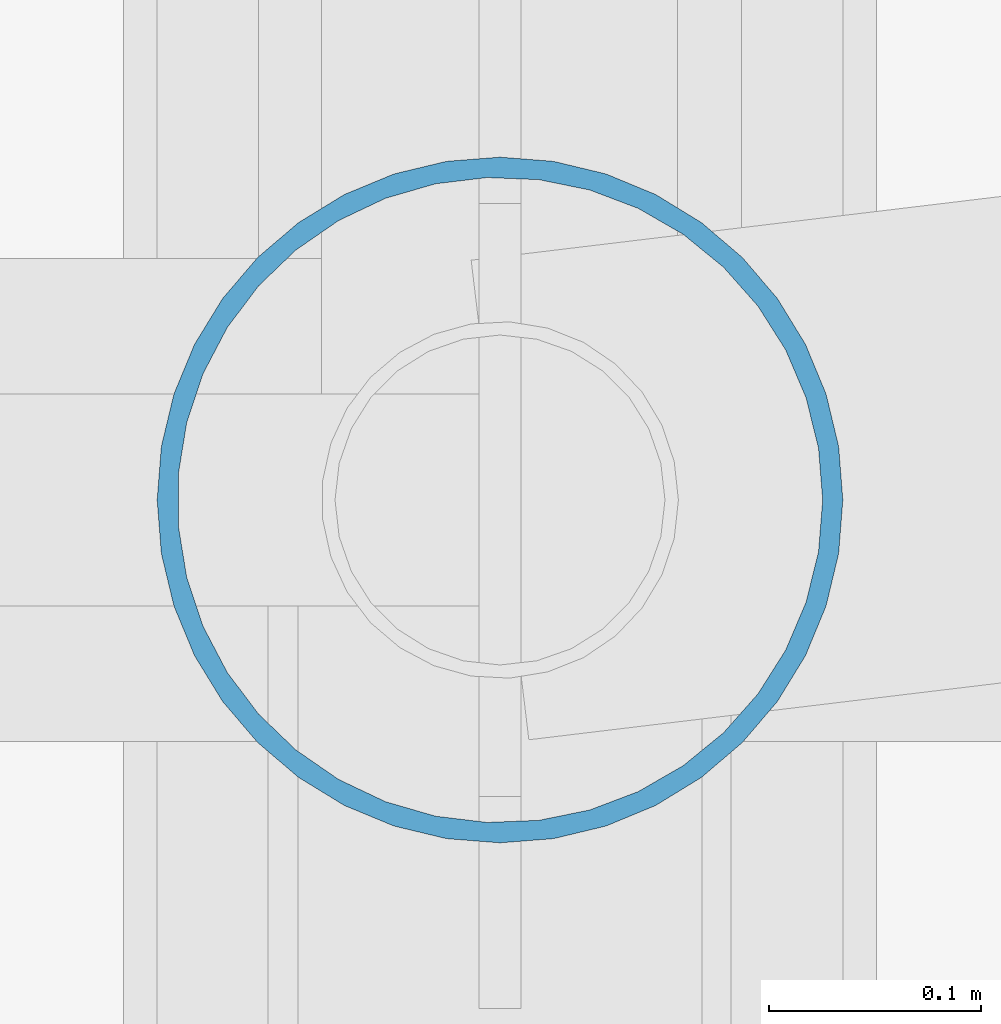
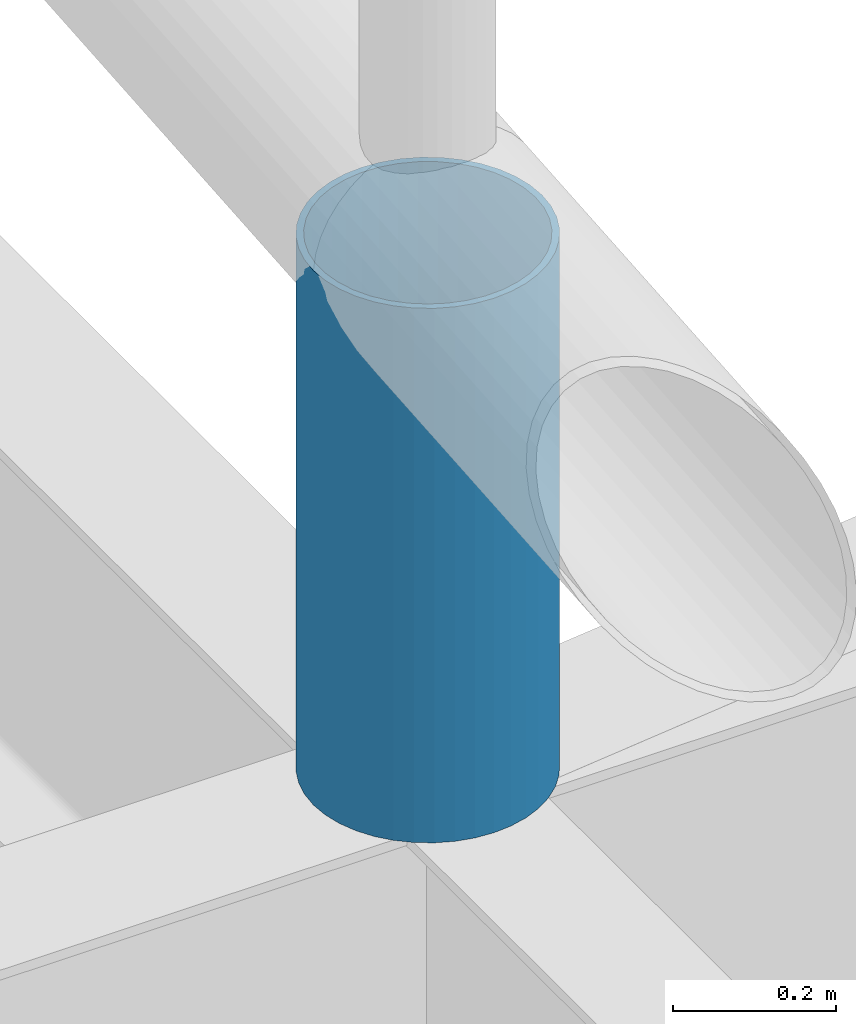
# One storey, part 79 of 93: 1 member.
"""IFC4 building model written with IfcOpenShell, lengths in metres."""

from ifc_helpers import new_model, si_unit, derived_unit, direction, frame, origin, origin_2d_with_axis, place, context, subcontext, project, spatial, hollow_circle, extrude, material, material_profile, profile_set, type_object, element, save


model = new_model("IFC4")

# Units and contexts
model_context = context("Model", 3, precision=1e-05, world=origin(), true_north=direction((0.0, 1.0)))
body_context = subcontext(model_context, "Body", "Model", "MODEL_VIEW")
ifc_project = project(units=[si_unit("LENGTHUNIT", "METRE"), si_unit("AREAUNIT", "SQUARE_METRE"), si_unit("VOLUMEUNIT", "CUBIC_METRE"), si_unit("PLANEANGLEUNIT", "RADIAN"), si_unit("MASSUNIT", "GRAM", prefix="KILO"), derived_unit("THERMALTRANSMITTANCEUNIT", [(si_unit("POWERUNIT", "WATT"), 1), (si_unit("LENGTHUNIT", "METRE"), -2), (si_unit("THERMODYNAMICTEMPERATUREUNIT", "KELVIN"), -1)])], contexts=[model_context])

# Site, building, storey
site_placement = place(None, origin())
site = spatial("IfcSite", under=ifc_project, at=site_placement, CompositionType="ELEMENT")
building_placement = place(site_placement, origin())
building = spatial("IfcBuilding", under=site, at=building_placement, Name="Cinnabar Yard Market Hall", CompositionType="ELEMENT")
storey_placement = place(building_placement, frame((0.0, 0.0, 23.800048828125)))
storey = spatial("IfcBuildingStorey", under=building, at=storey_placement, Name="ROOF", CompositionType="ELEMENT", Elevation=23.800048828125)

# Member
ifc_material = material(Name="Spotted-gum glulam-clad steel Grade 350 (350 MPa)", Category="steel")
ifc_material_profile = material_profile(ifc_material, hollow_circle(Radius=0.161865234375, WallThickness=0.009521484375, at=origin_2d_with_axis()), Name="323.9x9.5CHS")
ifc_profile_set = profile_set([ifc_material_profile], Name="Spotted-gum glulam-clad steel Grade 350 (350 MPa)")
member_type = type_object("IfcMemberType", Name="MB-ST01", PredefinedType="STRUT", material=ifc_profile_set)
member_placement = place(storey_placement, frame((146.0, 24.0, -9.400146484375), z_axis=(0.0, 0.0, 1.0), x_axis=(1.0, 0.0, 0.0)))
element("IfcMember", 1, at=member_placement, inside=storey, type_object=member_type, Name="Truss Bearing Post 146-24", PredefinedType="STRUT", context=body_context, shape_type="SweptSolid", body=[
    extrude(hollow_circle(Radius=0.161865234375, WallThickness=0.009521484375, at=origin_2d_with_axis()), origin(), (0.0, 0.0, 1.0), 0.800048828125),
])

save(model, "model.ifc")
